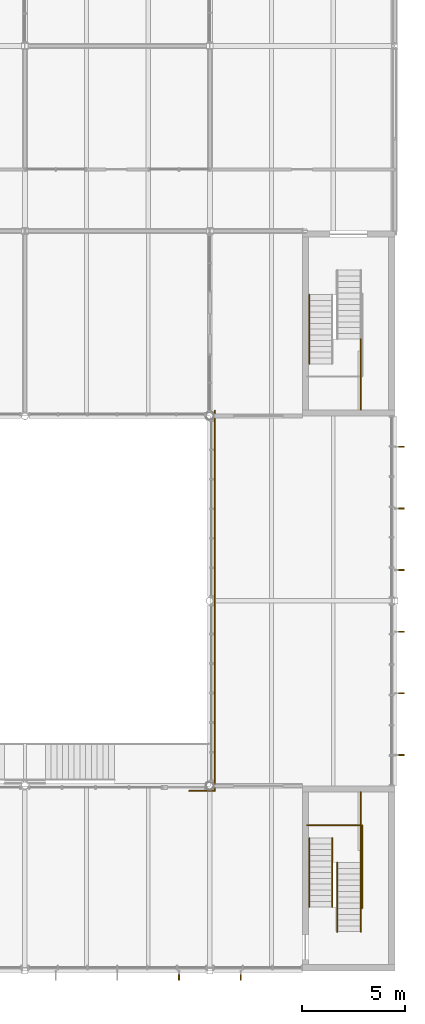
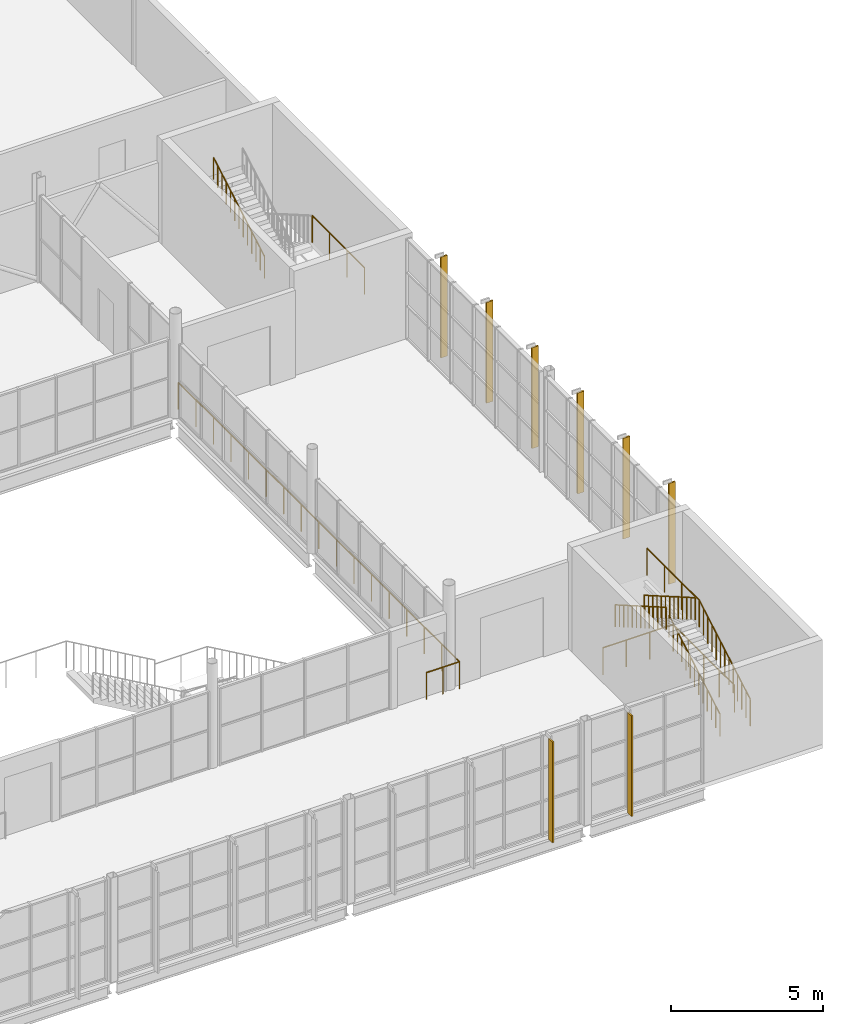
# One storey, part 54 of 57: 10 railings, 8 shading devices.
"""IFC4 building model written with IfcOpenShell, lengths in metres."""

from ifc_helpers import new_model, si_unit, direction, frame, origin, origin_2d, place, context, subcontext, project, spatial, rectangle, circle, extrude, material, type_object, element, save


model = new_model("IFC4")

# Units and contexts
model_context = context("Model", 3, precision=1e-05, world=origin(), true_north=direction((0.0, 1.0)))
body_context = subcontext(model_context, "Body", "Model", "MODEL_VIEW")
ifc_project = project(units=[si_unit("LENGTHUNIT", "METRE"), si_unit("AREAUNIT", "SQUARE_METRE"), si_unit("VOLUMEUNIT", "CUBIC_METRE"), si_unit("PLANEANGLEUNIT", "RADIAN"), si_unit("MASSUNIT", "GRAM", prefix="KILO")], contexts=[model_context])

# Site, building, storey
site_placement = place(None, origin())
site = spatial("IfcSite", under=ifc_project, at=site_placement, CompositionType="ELEMENT")
building_placement = place(site_placement, origin())
building = spatial("IfcBuilding", under=site, at=building_placement, Name="Halyard Row Museum", CompositionType="ELEMENT")
storey_placement = place(building_placement, frame((0.0, 0.0, 5.0)))
storey = spatial("IfcBuildingStorey", under=building, at=storey_placement, Name="L01", CompositionType="ELEMENT", Elevation=5.0)

# Railings
ifc_material_1 = material(Name="Steel Grade 300", Category="steel")
railing_type_1 = type_object("IfcRailingType", Name="Guard GR2 steel balustrade 1100", PredefinedType="GUARDRAIL", material=ifc_material_1)
railing_1_placement = place(storey_placement, frame((106.35009765625, 1.89990234375, 0.16162109375)))
element("IfcRailing", 1, at=railing_1_placement, inside=storey, type_object=railing_type_1, Name="Guard GR054", PredefinedType="GUARDRAIL", context=body_context, shape_type="SweptSolid", body=[
    extrude(circle(Radius=0.02392578125, at=origin_2d()), frame((0.0, 0.0, 1.076171875), z_axis=(0.0, 0.866424426198, 0.49930823515), x_axis=(-1.0, 0.0, 0.0)), (0.0, 0.0, 1.0), 0.3232421875),
    extrude(circle(Radius=0.02392578125, at=origin_2d()), frame((0.0, 0.280029296875, 1.2373046875), z_axis=(0.0, 0.86609757561, 0.499874973892), x_axis=(-1.0, 0.0, 0.0)), (0.0, 0.0, 1.0), 0.3232421875),
    extrude(circle(Radius=0.02392578125, at=origin_2d()), frame((0.0, 0.56005859375, 1.39892578125), z_axis=(0.0, 0.86609757561, 0.499874973892), x_axis=(-1.0, 0.0, 0.0)), (0.0, 0.0, 1.0), 0.3232421875),
    extrude(circle(Radius=0.02392578125, at=origin_2d()), frame((0.0, 0.840087890625, 1.560546875), z_axis=(0.0, 0.866424426198, 0.49930823515), x_axis=(-1.0, 0.0, 0.0)), (0.0, 0.0, 1.0), 0.3232421875),
    extrude(circle(Radius=0.02392578125, at=origin_2d()), frame((0.0, 1.1201171875, 1.72216796875), z_axis=(0.0, 0.86609757561, 0.499874973892), x_axis=(-1.0, 0.0, 0.0)), (0.0, 0.0, 1.0), 0.3232421875),
    extrude(circle(Radius=0.02392578125, at=origin_2d()), frame((0.0, 1.400146484375, 1.8837890625), z_axis=(0.0, 0.86609757561, 0.499874973892), x_axis=(-1.0, 0.0, 0.0)), (0.0, 0.0, 1.0), 0.3232421875),
    extrude(circle(Radius=0.02392578125, at=origin_2d()), frame((0.0, 1.68017578125, 2.04541015625), z_axis=(0.0, 0.866424426198, 0.49930823515), x_axis=(-1.0, 0.0, 0.0)), (0.0, 0.0, 1.0), 0.3232421875),
    extrude(circle(Radius=0.02392578125, at=origin_2d()), frame((0.0, 1.960205078125, 2.20654296875), z_axis=(0.0, 0.865908710228, 0.500202064721), x_axis=(-1.0, 0.0, 0.0)), (0.0, 0.0, 1.0), 0.322998046875),
    extrude(circle(Radius=0.02392578125, at=origin_2d()), frame((0.0, 2.239990234375, 2.3681640625), z_axis=(0.0, 0.86609757561, 0.499874973892), x_axis=(-1.0, 0.0, 0.0)), (0.0, 0.0, 1.0), 0.3232421875),
    extrude(circle(Radius=0.02392578125, at=origin_2d()), frame((0.0, 2.52001953125, 2.52978515625), z_axis=(0.0, 0.866424426198, 0.49930823515), x_axis=(-1.0, 0.0, 0.0)), (0.0, 0.0, 1.0), 0.3232421875),
    extrude(circle(Radius=0.02392578125, at=origin_2d()), frame((0.0, 2.800048828125, 2.69140625), z_axis=(0.0, 0.86609757561, 0.499874973892), x_axis=(-1.0, 0.0, 0.0)), (0.0, 0.0, 1.0), 0.3232421875),
    extrude(circle(Radius=0.02392578125, at=origin_2d()), frame((0.0, 3.080078125, 2.85302734375), z_axis=(0.0, 0.86609757561, 0.499874973892), x_axis=(-1.0, 0.0, 0.0)), (0.0, 0.0, 1.0), 0.3232421875),
    extrude(circle(Radius=0.02099609375, at=origin_2d()), origin(), (0.0, 0.0, 1.0), 1.052001953125),
    extrude(circle(Radius=0.02099609375, at=origin_2d()), frame((0.0, 0.280029296875, 0.161376953125)), (0.0, 0.0, 1.0), 1.052001953125),
    extrude(circle(Radius=0.02099609375, at=origin_2d()), frame((0.0, 0.56005859375, 0.322998046875)), (0.0, 0.0, 1.0), 1.052001953125),
    extrude(circle(Radius=0.02099609375, at=origin_2d()), frame((0.0, 0.840087890625, 0.484619140625)), (0.0, 0.0, 1.0), 1.052001953125),
    extrude(circle(Radius=0.02099609375, at=origin_2d()), frame((0.0, 1.1201171875, 0.64599609375)), (0.0, 0.0, 1.0), 1.052001953125),
    extrude(circle(Radius=0.02099609375, at=origin_2d()), frame((0.0, 1.400146484375, 0.8076171875)), (0.0, 0.0, 1.0), 1.052001953125),
    extrude(circle(Radius=0.02099609375, at=origin_2d()), frame((0.0, 1.68017578125, 0.96923828125)), (0.0, 0.0, 1.0), 1.052001953125),
    extrude(circle(Radius=0.02099609375, at=origin_2d()), frame((0.0, 1.960205078125, 1.130615234375)), (0.0, 0.0, 1.0), 1.052001953125),
    extrude(circle(Radius=0.02099609375, at=origin_2d()), frame((0.0, 2.239990234375, 1.292236328125)), (0.0, 0.0, 1.0), 1.052001953125),
    extrude(circle(Radius=0.02099609375, at=origin_2d()), frame((0.0, 2.52001953125, 1.453857421875)), (0.0, 0.0, 1.0), 1.052001953125),
    extrude(circle(Radius=0.02099609375, at=origin_2d()), frame((0.0, 2.800048828125, 1.615234375)), (0.0, 0.0, 1.0), 1.052001953125),
    extrude(circle(Radius=0.02099609375, at=origin_2d()), frame((0.0, 3.080078125, 1.77685546875)), (0.0, 0.0, 1.0), 1.052001953125),
    extrude(circle(Radius=0.02099609375, at=origin_2d()), frame((0.0, 3.360107421875, 1.9384765625)), (0.0, 0.0, 1.0), 1.052001953125),
])
railing_2_placement = place(storey_placement, frame((106.35009765625, 5.260009765625, 2.10009765625)))
element("IfcRailing", 2, at=railing_2_placement, inside=storey, type_object=railing_type_1, Name="Guard GR055", PredefinedType="GUARDRAIL", context=body_context, shape_type="SweptSolid", body=[
    extrude(circle(Radius=0.02392578125, at=origin_2d()), frame((0.0, 0.0, 1.076171875), z_axis=(0.0, 1.0, 0.0), x_axis=(-1.0, 0.0, 0.0)), (0.0, 0.0, 1.0), 3.43994140625),
    extrude(circle(Radius=0.02099609375, at=origin_2d()), origin(), (0.0, 0.0, 1.0), 1.052001953125),
    extrude(circle(Radius=0.02099609375, at=origin_2d()), frame((0.0, 1.146728515625, 0.0)), (0.0, 0.0, 1.0), 1.052001953125),
    extrude(circle(Radius=0.02099609375, at=origin_2d()), frame((0.0, 2.293212890625, 0.0)), (0.0, 0.0, 1.0), 1.052001953125),
    extrude(circle(Radius=0.02099609375, at=origin_2d()), frame((0.0, 3.43994140625, 0.0)), (0.0, 0.0, 1.0), 1.052001953125),
])
railing_3_placement = place(storey_placement, frame((106.35009765625, 30.739990234375, 2.10009765625)))
element("IfcRailing", 3, at=railing_3_placement, inside=storey, type_object=railing_type_1, Name="Guard GR068", PredefinedType="GUARDRAIL", context=body_context, shape_type="SweptSolid", body=[
    extrude(circle(Radius=0.02392578125, at=origin_2d()), frame((0.0, 0.0, 1.076171875), z_axis=(0.0, -1.0, 0.0), x_axis=(1.0, 0.0, 0.0)), (0.0, 0.0, 1.0), 3.43994140625),
    extrude(circle(Radius=0.02099609375, at=origin_2d()), origin(), (0.0, 0.0, 1.0), 1.052001953125),
    extrude(circle(Radius=0.02099609375, at=origin_2d()), frame((0.0, -1.146728515625, 0.0)), (0.0, 0.0, 1.0), 1.052001953125),
    extrude(circle(Radius=0.02099609375, at=origin_2d()), frame((0.0, -2.293212890625, 0.0)), (0.0, 0.0, 1.0), 1.052001953125),
    extrude(circle(Radius=0.02099609375, at=origin_2d()), frame((0.0, -3.43994140625, 0.0)), (0.0, 0.0, 1.0), 1.052001953125),
])
railing_4_placement = place(storey_placement, frame((103.739990234375, 7.080078125, 0.0)))
element("IfcRailing", 4, at=railing_4_placement, inside=storey, type_object=railing_type_1, Name="Guard GR161", PredefinedType="GUARDRAIL", context=body_context, shape_type="SweptSolid", body=[
    extrude(circle(Radius=0.02392578125, at=origin_2d()), frame((0.0, 0.0, 1.076171875), z_axis=(1.0, 0.0, 0.0), x_axis=(0.0, 1.0, 0.0)), (0.0, 0.0, 1.0), 2.669921875),
    extrude(circle(Radius=0.02392578125, at=origin_2d()), frame((2.669921875, 0.0, 1.076171875), z_axis=(0.0, -1.0, 0.0), x_axis=(1.0, 0.0, 0.0)), (0.0, 0.0, 1.0), 4.0400390625),
    extrude(circle(Radius=0.02099609375, at=origin_2d()), origin(), (0.0, 0.0, 1.0), 1.052001953125),
    extrude(circle(Radius=0.02099609375, at=origin_2d()), frame((0.889892578125, 0.0, 0.0)), (0.0, 0.0, 1.0), 1.052001953125),
    extrude(circle(Radius=0.02099609375, at=origin_2d()), frame((1.780029296875, 0.0, 0.0)), (0.0, 0.0, 1.0), 1.052001953125),
    extrude(circle(Radius=0.02099609375, at=origin_2d()), frame((2.669921875, 0.0, 0.0)), (0.0, 0.0, 1.0), 1.052001953125),
    extrude(circle(Radius=0.02099609375, at=origin_2d()), frame((2.669921875, -1.010009765625, 0.0)), (0.0, 0.0, 1.0), 1.052001953125),
    extrude(circle(Radius=0.02099609375, at=origin_2d()), frame((2.669921875, -2.02001953125, 0.0)), (0.0, 0.0, 1.0), 1.052001953125),
    extrude(circle(Radius=0.02099609375, at=origin_2d()), frame((2.669921875, -3.030029296875, 0.0)), (0.0, 0.0, 1.0), 1.052001953125),
    extrude(circle(Radius=0.02099609375, at=origin_2d()), frame((2.669921875, -4.0400390625, 0.0)), (0.0, 0.0, 1.0), 1.052001953125),
])
railing_5_placement = place(storey_placement, frame((98.0, 8.75, 0.0)))
element("IfcRailing", 5, at=railing_5_placement, inside=storey, type_object=railing_type_1, Name="Guard GR197", PredefinedType="GUARDRAIL", context=body_context, shape_type="SweptSolid", body=[
    extrude(circle(Radius=0.02392578125, at=origin_2d()), frame((0.0, 0.0, 1.076171875), z_axis=(1.0, 0.0, 0.0), x_axis=(0.0, 1.0, 0.0)), (0.0, 0.0, 1.0), 1.25),
    extrude(circle(Radius=0.02099609375, at=origin_2d()), origin(), (0.0, 0.0, 1.0), 1.052001953125),
    extrude(circle(Radius=0.02099609375, at=origin_2d()), frame((0.625, 0.0, 0.0)), (0.0, 0.0, 1.0), 1.052001953125),
    extrude(circle(Radius=0.02099609375, at=origin_2d()), frame((1.25, 0.0, 0.0)), (0.0, 0.0, 1.0), 1.052001953125),
])
railing_6_placement = place(storey_placement, frame((99.25, 8.75, 0.0)))
element("IfcRailing", 6, at=railing_6_placement, inside=storey, type_object=railing_type_1, Name="Guard GR198", PredefinedType="GUARDRAIL", context=body_context, shape_type="SweptSolid", body=[
    extrude(circle(Radius=0.02392578125, at=origin_2d()), frame((0.0, 0.0, 1.076171875), z_axis=(0.0, 1.0, 0.0), x_axis=(-1.0, 0.0, 0.0)), (0.0, 0.0, 1.0), 18.5),
    extrude(circle(Radius=0.02099609375, at=origin_2d()), origin(), (0.0, 0.0, 1.0), 1.052001953125),
    extrude(circle(Radius=0.02099609375, at=origin_2d()), frame((0.0, 1.15625, 0.0)), (0.0, 0.0, 1.0), 1.052001953125),
    extrude(circle(Radius=0.02099609375, at=origin_2d()), frame((0.0, 2.3125, 0.0)), (0.0, 0.0, 1.0), 1.052001953125),
    extrude(circle(Radius=0.02099609375, at=origin_2d()), frame((0.0, 3.46875, 0.0)), (0.0, 0.0, 1.0), 1.052001953125),
    extrude(circle(Radius=0.02099609375, at=origin_2d()), frame((0.0, 4.625, 0.0)), (0.0, 0.0, 1.0), 1.052001953125),
    extrude(circle(Radius=0.02099609375, at=origin_2d()), frame((0.0, 5.78125, 0.0)), (0.0, 0.0, 1.0), 1.052001953125),
    extrude(circle(Radius=0.02099609375, at=origin_2d()), frame((0.0, 6.9375, 0.0)), (0.0, 0.0, 1.0), 1.052001953125),
    extrude(circle(Radius=0.02099609375, at=origin_2d()), frame((0.0, 8.09375, 0.0)), (0.0, 0.0, 1.0), 1.052001953125),
    extrude(circle(Radius=0.02099609375, at=origin_2d()), frame((0.0, 9.25, 0.0)), (0.0, 0.0, 1.0), 1.052001953125),
    extrude(circle(Radius=0.02099609375, at=origin_2d()), frame((0.0, 10.40625, 0.0)), (0.0, 0.0, 1.0), 1.052001953125),
    extrude(circle(Radius=0.02099609375, at=origin_2d()), frame((0.0, 11.5625, 0.0)), (0.0, 0.0, 1.0), 1.052001953125),
    extrude(circle(Radius=0.02099609375, at=origin_2d()), frame((0.0, 12.71875, 0.0)), (0.0, 0.0, 1.0), 1.052001953125),
    extrude(circle(Radius=0.02099609375, at=origin_2d()), frame((0.0, 13.875, 0.0)), (0.0, 0.0, 1.0), 1.052001953125),
    extrude(circle(Radius=0.02099609375, at=origin_2d()), frame((0.0, 15.03125, 0.0)), (0.0, 0.0, 1.0), 1.052001953125),
    extrude(circle(Radius=0.02099609375, at=origin_2d()), frame((0.0, 16.1875, 0.0)), (0.0, 0.0, 1.0), 1.052001953125),
    extrude(circle(Radius=0.02099609375, at=origin_2d()), frame((0.0, 17.34375, 0.0)), (0.0, 0.0, 1.0), 1.052001953125),
    extrude(circle(Radius=0.02099609375, at=origin_2d()), frame((0.0, 18.5, 0.0)), (0.0, 0.0, 1.0), 1.052001953125),
])
ifc_material_2 = material(Name="Steel Grade 300", Category="steel")
railing_type_2 = type_object("IfcRailingType", Name="Handrail HR2 steel 900", PredefinedType="HANDRAIL", material=ifc_material_2)
railing_7_placement = place(storey_placement, frame((105.199951171875, 1.89990234375, 0.16162109375)))
element("IfcRailing", 7, at=railing_7_placement, inside=storey, type_object=railing_type_2, Name="Handrail HR079", PredefinedType="HANDRAIL", context=body_context, shape_type="SweptSolid", body=[
    extrude(circle(Radius=0.02392578125, at=origin_2d()), frame((0.0, 0.0, 0.8759765625), z_axis=(0.0, 0.866424426198, 0.49930823515), x_axis=(-1.0, 0.0, 0.0)), (0.0, 0.0, 1.0), 0.3232421875),
    extrude(circle(Radius=0.02392578125, at=origin_2d()), frame((0.0, 0.280029296875, 1.037109375), z_axis=(0.0, 0.86609757561, 0.499874973892), x_axis=(-1.0, 0.0, 0.0)), (0.0, 0.0, 1.0), 0.3232421875),
    extrude(circle(Radius=0.02392578125, at=origin_2d()), frame((0.0, 0.56005859375, 1.19873046875), z_axis=(0.0, 0.86609757561, 0.499874973892), x_axis=(-1.0, 0.0, 0.0)), (0.0, 0.0, 1.0), 0.3232421875),
    extrude(circle(Radius=0.02392578125, at=origin_2d()), frame((0.0, 0.840087890625, 1.3603515625), z_axis=(0.0, 0.866424426198, 0.49930823515), x_axis=(-1.0, 0.0, 0.0)), (0.0, 0.0, 1.0), 0.3232421875),
    extrude(circle(Radius=0.02392578125, at=origin_2d()), frame((0.0, 1.1201171875, 1.52197265625), z_axis=(0.0, 0.86609757561, 0.499874973892), x_axis=(-1.0, 0.0, 0.0)), (0.0, 0.0, 1.0), 0.3232421875),
    extrude(circle(Radius=0.02392578125, at=origin_2d()), frame((0.0, 1.400146484375, 1.68359375), z_axis=(0.0, 0.86609757561, 0.499874973892), x_axis=(-1.0, 0.0, 0.0)), (0.0, 0.0, 1.0), 0.3232421875),
    extrude(circle(Radius=0.02392578125, at=origin_2d()), frame((0.0, 1.68017578125, 1.84521484375), z_axis=(0.0, 0.866424426198, 0.49930823515), x_axis=(-1.0, 0.0, 0.0)), (0.0, 0.0, 1.0), 0.3232421875),
    extrude(circle(Radius=0.02392578125, at=origin_2d()), frame((0.0, 1.960205078125, 2.00634765625), z_axis=(0.0, 0.865908710228, 0.500202064721), x_axis=(-1.0, 0.0, 0.0)), (0.0, 0.0, 1.0), 0.322998046875),
    extrude(circle(Radius=0.02392578125, at=origin_2d()), frame((0.0, 2.239990234375, 2.16796875), z_axis=(0.0, 0.86609757561, 0.499874973892), x_axis=(-1.0, 0.0, 0.0)), (0.0, 0.0, 1.0), 0.3232421875),
    extrude(circle(Radius=0.02392578125, at=origin_2d()), frame((0.0, 2.52001953125, 2.32958984375), z_axis=(0.0, 0.866424426198, 0.49930823515), x_axis=(-1.0, 0.0, 0.0)), (0.0, 0.0, 1.0), 0.3232421875),
    extrude(circle(Radius=0.02392578125, at=origin_2d()), frame((0.0, 2.800048828125, 2.4912109375), z_axis=(0.0, 0.86609757561, 0.499874973892), x_axis=(-1.0, 0.0, 0.0)), (0.0, 0.0, 1.0), 0.3232421875),
    extrude(circle(Radius=0.02392578125, at=origin_2d()), frame((0.0, 3.080078125, 2.65283203125), z_axis=(0.0, 0.86609757561, 0.499874973892), x_axis=(-1.0, 0.0, 0.0)), (0.0, 0.0, 1.0), 0.3232421875),
    extrude(circle(Radius=0.02099609375, at=origin_2d()), origin(), (0.0, 0.0, 1.0), 0.851806640625),
    extrude(circle(Radius=0.02099609375, at=origin_2d()), frame((0.0, 0.280029296875, 0.161376953125)), (0.0, 0.0, 1.0), 0.851806640625),
    extrude(circle(Radius=0.02099609375, at=origin_2d()), frame((0.0, 0.56005859375, 0.322998046875)), (0.0, 0.0, 1.0), 0.851806640625),
    extrude(circle(Radius=0.02099609375, at=origin_2d()), frame((0.0, 0.840087890625, 0.484619140625)), (0.0, 0.0, 1.0), 0.851806640625),
    extrude(circle(Radius=0.02099609375, at=origin_2d()), frame((0.0, 1.1201171875, 0.64599609375)), (0.0, 0.0, 1.0), 0.851806640625),
    extrude(circle(Radius=0.02099609375, at=origin_2d()), frame((0.0, 1.400146484375, 0.8076171875)), (0.0, 0.0, 1.0), 0.851806640625),
    extrude(circle(Radius=0.02099609375, at=origin_2d()), frame((0.0, 1.68017578125, 0.96923828125)), (0.0, 0.0, 1.0), 0.851806640625),
    extrude(circle(Radius=0.02099609375, at=origin_2d()), frame((0.0, 1.960205078125, 1.130615234375)), (0.0, 0.0, 1.0), 0.851806640625),
    extrude(circle(Radius=0.02099609375, at=origin_2d()), frame((0.0, 2.239990234375, 1.292236328125)), (0.0, 0.0, 1.0), 0.851806640625),
    extrude(circle(Radius=0.02099609375, at=origin_2d()), frame((0.0, 2.52001953125, 1.453857421875)), (0.0, 0.0, 1.0), 0.851806640625),
    extrude(circle(Radius=0.02099609375, at=origin_2d()), frame((0.0, 2.800048828125, 1.615234375)), (0.0, 0.0, 1.0), 0.851806640625),
    extrude(circle(Radius=0.02099609375, at=origin_2d()), frame((0.0, 3.080078125, 1.77685546875)), (0.0, 0.0, 1.0), 0.851806640625),
    extrude(circle(Radius=0.02099609375, at=origin_2d()), frame((0.0, 3.360107421875, 1.9384765625)), (0.0, 0.0, 1.0), 0.851806640625),
])
railing_8_placement = place(storey_placement, frame((103.85009765625, 6.4599609375, 2.261474609375)))
element("IfcRailing", 8, at=railing_8_placement, inside=storey, type_object=railing_type_2, Name="Handrail HR080", PredefinedType="HANDRAIL", context=body_context, shape_type="SweptSolid", body=[
    extrude(circle(Radius=0.02392578125, at=origin_2d()), frame((0.0, 0.0, 0.8759765625), z_axis=(0.0, -0.86609757561, 0.499874973892), x_axis=(1.0, 0.0, 0.0)), (0.0, 0.0, 1.0), 0.3232421875),
    extrude(circle(Radius=0.02392578125, at=origin_2d()), frame((0.0, -0.280029296875, 1.03759765625), z_axis=(0.0, -0.86609757561, 0.499874973892), x_axis=(1.0, 0.0, 0.0)), (0.0, 0.0, 1.0), 0.3232421875),
    extrude(circle(Radius=0.02392578125, at=origin_2d()), frame((0.0, -0.56005859375, 1.19921875), z_axis=(0.0, -0.866235917577, 0.499635202023), x_axis=(1.0, 0.0, 0.0)), (0.0, 0.0, 1.0), 0.322998046875),
    extrude(circle(Radius=0.02392578125, at=origin_2d()), frame((0.0, -0.83984375, 1.3603515625), z_axis=(0.0, -0.86609757561, 0.499874973892), x_axis=(1.0, 0.0, 0.0)), (0.0, 0.0, 1.0), 0.3232421875),
    extrude(circle(Radius=0.02392578125, at=origin_2d()), frame((0.0, -1.119873046875, 1.52197265625), z_axis=(0.0, -0.86609757561, 0.499874973892), x_axis=(1.0, 0.0, 0.0)), (0.0, 0.0, 1.0), 0.3232421875),
    extrude(circle(Radius=0.02392578125, at=origin_2d()), frame((0.0, -1.39990234375, 1.68359375), z_axis=(0.0, -0.866424426198, 0.49930823515), x_axis=(1.0, 0.0, 0.0)), (0.0, 0.0, 1.0), 0.3232421875),
    extrude(circle(Radius=0.02392578125, at=origin_2d()), frame((0.0, -1.679931640625, 1.84521484375), z_axis=(0.0, -0.86609757561, 0.499874973892), x_axis=(1.0, 0.0, 0.0)), (0.0, 0.0, 1.0), 0.3232421875),
    extrude(circle(Radius=0.02392578125, at=origin_2d()), frame((0.0, -1.9599609375, 2.0068359375), z_axis=(0.0, -0.86609757561, 0.499874973892), x_axis=(1.0, 0.0, 0.0)), (0.0, 0.0, 1.0), 0.3232421875),
    extrude(circle(Radius=0.02392578125, at=origin_2d()), frame((0.0, -2.239990234375, 2.16845703125), z_axis=(0.0, -0.866424426198, 0.49930823515), x_axis=(1.0, 0.0, 0.0)), (0.0, 0.0, 1.0), 0.3232421875),
    extrude(circle(Radius=0.02392578125, at=origin_2d()), frame((0.0, -2.52001953125, 2.32958984375), z_axis=(0.0, -0.86609757561, 0.499874973892), x_axis=(1.0, 0.0, 0.0)), (0.0, 0.0, 1.0), 0.3232421875),
    extrude(circle(Radius=0.02392578125, at=origin_2d()), frame((0.0, -2.800048828125, 2.4912109375), z_axis=(0.0, -0.86609757561, 0.499874973892), x_axis=(1.0, 0.0, 0.0)), (0.0, 0.0, 1.0), 0.3232421875),
    extrude(circle(Radius=0.02392578125, at=origin_2d()), frame((0.0, -3.080078125, 2.65283203125), z_axis=(0.0, -0.866235917577, 0.499635202023), x_axis=(1.0, 0.0, 0.0)), (0.0, 0.0, 1.0), 0.322998046875),
    extrude(circle(Radius=0.02099609375, at=origin_2d()), origin(), (0.0, 0.0, 1.0), 0.851806640625),
    extrude(circle(Radius=0.02099609375, at=origin_2d()), frame((0.0, -0.280029296875, 0.16162109375)), (0.0, 0.0, 1.0), 0.851806640625),
    extrude(circle(Radius=0.02099609375, at=origin_2d()), frame((0.0, -0.56005859375, 0.3232421875)), (0.0, 0.0, 1.0), 0.851806640625),
    extrude(circle(Radius=0.02099609375, at=origin_2d()), frame((0.0, -0.83984375, 0.484619140625)), (0.0, 0.0, 1.0), 0.851806640625),
    extrude(circle(Radius=0.02099609375, at=origin_2d()), frame((0.0, -1.119873046875, 0.646240234375)), (0.0, 0.0, 1.0), 0.851806640625),
    extrude(circle(Radius=0.02099609375, at=origin_2d()), frame((0.0, -1.39990234375, 0.807861328125)), (0.0, 0.0, 1.0), 0.851806640625),
    extrude(circle(Radius=0.02099609375, at=origin_2d()), frame((0.0, -1.679931640625, 0.96923828125)), (0.0, 0.0, 1.0), 0.851806640625),
    extrude(circle(Radius=0.02099609375, at=origin_2d()), frame((0.0, -1.9599609375, 1.130859375)), (0.0, 0.0, 1.0), 0.851806640625),
    extrude(circle(Radius=0.02099609375, at=origin_2d()), frame((0.0, -2.239990234375, 1.29248046875)), (0.0, 0.0, 1.0), 0.851806640625),
    extrude(circle(Radius=0.02099609375, at=origin_2d()), frame((0.0, -2.52001953125, 1.453857421875)), (0.0, 0.0, 1.0), 0.851806640625),
    extrude(circle(Radius=0.02099609375, at=origin_2d()), frame((0.0, -2.800048828125, 1.615478515625)), (0.0, 0.0, 1.0), 0.851806640625),
    extrude(circle(Radius=0.02099609375, at=origin_2d()), frame((0.0, -3.080078125, 1.777099609375)), (0.0, 0.0, 1.0), 0.851806640625),
    extrude(circle(Radius=0.02099609375, at=origin_2d()), frame((0.0, -3.35986328125, 1.9384765625)), (0.0, 0.0, 1.0), 0.851806640625),
])
railing_9_placement = place(storey_placement, frame((104.949951171875, 6.4599609375, 2.261474609375)))
element("IfcRailing", 9, at=railing_9_placement, inside=storey, type_object=railing_type_2, Name="Handrail HR081", PredefinedType="HANDRAIL", context=body_context, shape_type="SweptSolid", body=[
    extrude(circle(Radius=0.02392578125, at=origin_2d()), frame((0.0, 0.0, 0.8759765625), z_axis=(0.0, -0.86609757561, 0.499874973892), x_axis=(1.0, 0.0, 0.0)), (0.0, 0.0, 1.0), 0.3232421875),
    extrude(circle(Radius=0.02392578125, at=origin_2d()), frame((0.0, -0.280029296875, 1.03759765625), z_axis=(0.0, -0.86609757561, 0.499874973892), x_axis=(1.0, 0.0, 0.0)), (0.0, 0.0, 1.0), 0.3232421875),
    extrude(circle(Radius=0.02392578125, at=origin_2d()), frame((0.0, -0.56005859375, 1.19921875), z_axis=(0.0, -0.866235917577, 0.499635202023), x_axis=(1.0, 0.0, 0.0)), (0.0, 0.0, 1.0), 0.322998046875),
    extrude(circle(Radius=0.02392578125, at=origin_2d()), frame((0.0, -0.83984375, 1.3603515625), z_axis=(0.0, -0.86609757561, 0.499874973892), x_axis=(1.0, 0.0, 0.0)), (0.0, 0.0, 1.0), 0.3232421875),
    extrude(circle(Radius=0.02392578125, at=origin_2d()), frame((0.0, -1.119873046875, 1.52197265625), z_axis=(0.0, -0.86609757561, 0.499874973892), x_axis=(1.0, 0.0, 0.0)), (0.0, 0.0, 1.0), 0.3232421875),
    extrude(circle(Radius=0.02392578125, at=origin_2d()), frame((0.0, -1.39990234375, 1.68359375), z_axis=(0.0, -0.866424426198, 0.49930823515), x_axis=(1.0, 0.0, 0.0)), (0.0, 0.0, 1.0), 0.3232421875),
    extrude(circle(Radius=0.02392578125, at=origin_2d()), frame((0.0, -1.679931640625, 1.84521484375), z_axis=(0.0, -0.86609757561, 0.499874973892), x_axis=(1.0, 0.0, 0.0)), (0.0, 0.0, 1.0), 0.3232421875),
    extrude(circle(Radius=0.02392578125, at=origin_2d()), frame((0.0, -1.9599609375, 2.0068359375), z_axis=(0.0, -0.86609757561, 0.499874973892), x_axis=(1.0, 0.0, 0.0)), (0.0, 0.0, 1.0), 0.3232421875),
    extrude(circle(Radius=0.02392578125, at=origin_2d()), frame((0.0, -2.239990234375, 2.16845703125), z_axis=(0.0, -0.866424426198, 0.49930823515), x_axis=(1.0, 0.0, 0.0)), (0.0, 0.0, 1.0), 0.3232421875),
    extrude(circle(Radius=0.02392578125, at=origin_2d()), frame((0.0, -2.52001953125, 2.32958984375), z_axis=(0.0, -0.86609757561, 0.499874973892), x_axis=(1.0, 0.0, 0.0)), (0.0, 0.0, 1.0), 0.3232421875),
    extrude(circle(Radius=0.02392578125, at=origin_2d()), frame((0.0, -2.800048828125, 2.4912109375), z_axis=(0.0, -0.86609757561, 0.499874973892), x_axis=(1.0, 0.0, 0.0)), (0.0, 0.0, 1.0), 0.3232421875),
    extrude(circle(Radius=0.02392578125, at=origin_2d()), frame((0.0, -3.080078125, 2.65283203125), z_axis=(0.0, -0.866235917577, 0.499635202023), x_axis=(1.0, 0.0, 0.0)), (0.0, 0.0, 1.0), 0.322998046875),
    extrude(circle(Radius=0.02099609375, at=origin_2d()), origin(), (0.0, 0.0, 1.0), 0.851806640625),
    extrude(circle(Radius=0.02099609375, at=origin_2d()), frame((0.0, -0.280029296875, 0.16162109375)), (0.0, 0.0, 1.0), 0.851806640625),
    extrude(circle(Radius=0.02099609375, at=origin_2d()), frame((0.0, -0.56005859375, 0.3232421875)), (0.0, 0.0, 1.0), 0.851806640625),
    extrude(circle(Radius=0.02099609375, at=origin_2d()), frame((0.0, -0.83984375, 0.484619140625)), (0.0, 0.0, 1.0), 0.851806640625),
    extrude(circle(Radius=0.02099609375, at=origin_2d()), frame((0.0, -1.119873046875, 0.646240234375)), (0.0, 0.0, 1.0), 0.851806640625),
    extrude(circle(Radius=0.02099609375, at=origin_2d()), frame((0.0, -1.39990234375, 0.807861328125)), (0.0, 0.0, 1.0), 0.851806640625),
    extrude(circle(Radius=0.02099609375, at=origin_2d()), frame((0.0, -1.679931640625, 0.96923828125)), (0.0, 0.0, 1.0), 0.851806640625),
    extrude(circle(Radius=0.02099609375, at=origin_2d()), frame((0.0, -1.9599609375, 1.130859375)), (0.0, 0.0, 1.0), 0.851806640625),
    extrude(circle(Radius=0.02099609375, at=origin_2d()), frame((0.0, -2.239990234375, 1.29248046875)), (0.0, 0.0, 1.0), 0.851806640625),
    extrude(circle(Radius=0.02099609375, at=origin_2d()), frame((0.0, -2.52001953125, 1.453857421875)), (0.0, 0.0, 1.0), 0.851806640625),
    extrude(circle(Radius=0.02099609375, at=origin_2d()), frame((0.0, -2.800048828125, 1.615478515625)), (0.0, 0.0, 1.0), 0.851806640625),
    extrude(circle(Radius=0.02099609375, at=origin_2d()), frame((0.0, -3.080078125, 1.777099609375)), (0.0, 0.0, 1.0), 0.851806640625),
    extrude(circle(Radius=0.02099609375, at=origin_2d()), frame((0.0, -3.35986328125, 1.9384765625)), (0.0, 0.0, 1.0), 0.851806640625),
])
railing_10_placement = place(storey_placement, frame((103.85009765625, 29.5400390625, 2.261474609375)))
element("IfcRailing", 10, at=railing_10_placement, inside=storey, type_object=railing_type_2, Name="Handrail HR098", PredefinedType="HANDRAIL", context=body_context, shape_type="SweptSolid", body=[
    extrude(circle(Radius=0.02392578125, at=origin_2d()), frame((0.0, 0.0, 0.8759765625), z_axis=(0.0, 0.86609757561, 0.499874973892), x_axis=(-1.0, 0.0, 0.0)), (0.0, 0.0, 1.0), 0.3232421875),
    extrude(circle(Radius=0.02392578125, at=origin_2d()), frame((0.0, 0.280029296875, 1.03759765625), z_axis=(0.0, 0.86609757561, 0.499874973892), x_axis=(-1.0, 0.0, 0.0)), (0.0, 0.0, 1.0), 0.3232421875),
    extrude(circle(Radius=0.02392578125, at=origin_2d()), frame((0.0, 0.56005859375, 1.19921875), z_axis=(0.0, 0.866235917577, 0.499635202023), x_axis=(-1.0, 0.0, 0.0)), (0.0, 0.0, 1.0), 0.322998046875),
    extrude(circle(Radius=0.02392578125, at=origin_2d()), frame((0.0, 0.83984375, 1.3603515625), z_axis=(0.0, 0.86609757561, 0.499874973892), x_axis=(-1.0, 0.0, 0.0)), (0.0, 0.0, 1.0), 0.3232421875),
    extrude(circle(Radius=0.02392578125, at=origin_2d()), frame((0.0, 1.119873046875, 1.52197265625), z_axis=(0.0, 0.86609757561, 0.499874973892), x_axis=(-1.0, 0.0, 0.0)), (0.0, 0.0, 1.0), 0.3232421875),
    extrude(circle(Radius=0.02392578125, at=origin_2d()), frame((0.0, 1.39990234375, 1.68359375), z_axis=(0.0, 0.866424426198, 0.49930823515), x_axis=(-1.0, 0.0, 0.0)), (0.0, 0.0, 1.0), 0.3232421875),
    extrude(circle(Radius=0.02392578125, at=origin_2d()), frame((0.0, 1.679931640625, 1.84521484375), z_axis=(0.0, 0.86609757561, 0.499874973892), x_axis=(-1.0, 0.0, 0.0)), (0.0, 0.0, 1.0), 0.3232421875),
    extrude(circle(Radius=0.02392578125, at=origin_2d()), frame((0.0, 1.9599609375, 2.0068359375), z_axis=(0.0, 0.86609757561, 0.499874973892), x_axis=(-1.0, 0.0, 0.0)), (0.0, 0.0, 1.0), 0.3232421875),
    extrude(circle(Radius=0.02392578125, at=origin_2d()), frame((0.0, 2.239990234375, 2.16845703125), z_axis=(0.0, 0.866424426198, 0.49930823515), x_axis=(-1.0, 0.0, 0.0)), (0.0, 0.0, 1.0), 0.3232421875),
    extrude(circle(Radius=0.02392578125, at=origin_2d()), frame((0.0, 2.52001953125, 2.32958984375), z_axis=(0.0, 0.86609757561, 0.499874973892), x_axis=(-1.0, 0.0, 0.0)), (0.0, 0.0, 1.0), 0.3232421875),
    extrude(circle(Radius=0.02392578125, at=origin_2d()), frame((0.0, 2.800048828125, 2.4912109375), z_axis=(0.0, 0.86609757561, 0.499874973892), x_axis=(-1.0, 0.0, 0.0)), (0.0, 0.0, 1.0), 0.3232421875),
    extrude(circle(Radius=0.02392578125, at=origin_2d()), frame((0.0, 3.080078125, 2.65283203125), z_axis=(0.0, 0.866235917577, 0.499635202023), x_axis=(-1.0, 0.0, 0.0)), (0.0, 0.0, 1.0), 0.322998046875),
    extrude(circle(Radius=0.02099609375, at=origin_2d()), origin(), (0.0, 0.0, 1.0), 0.851806640625),
    extrude(circle(Radius=0.02099609375, at=origin_2d()), frame((0.0, 0.280029296875, 0.16162109375)), (0.0, 0.0, 1.0), 0.851806640625),
    extrude(circle(Radius=0.02099609375, at=origin_2d()), frame((0.0, 0.56005859375, 0.3232421875)), (0.0, 0.0, 1.0), 0.851806640625),
    extrude(circle(Radius=0.02099609375, at=origin_2d()), frame((0.0, 0.83984375, 0.484619140625)), (0.0, 0.0, 1.0), 0.851806640625),
    extrude(circle(Radius=0.02099609375, at=origin_2d()), frame((0.0, 1.119873046875, 0.646240234375)), (0.0, 0.0, 1.0), 0.851806640625),
    extrude(circle(Radius=0.02099609375, at=origin_2d()), frame((0.0, 1.39990234375, 0.807861328125)), (0.0, 0.0, 1.0), 0.851806640625),
    extrude(circle(Radius=0.02099609375, at=origin_2d()), frame((0.0, 1.679931640625, 0.96923828125)), (0.0, 0.0, 1.0), 0.851806640625),
    extrude(circle(Radius=0.02099609375, at=origin_2d()), frame((0.0, 1.9599609375, 1.130859375)), (0.0, 0.0, 1.0), 0.851806640625),
    extrude(circle(Radius=0.02099609375, at=origin_2d()), frame((0.0, 2.239990234375, 1.29248046875)), (0.0, 0.0, 1.0), 0.851806640625),
    extrude(circle(Radius=0.02099609375, at=origin_2d()), frame((0.0, 2.52001953125, 1.453857421875)), (0.0, 0.0, 1.0), 0.851806640625),
    extrude(circle(Radius=0.02099609375, at=origin_2d()), frame((0.0, 2.800048828125, 1.615478515625)), (0.0, 0.0, 1.0), 0.851806640625),
    extrude(circle(Radius=0.02099609375, at=origin_2d()), frame((0.0, 3.080078125, 1.777099609375)), (0.0, 0.0, 1.0), 0.851806640625),
    extrude(circle(Radius=0.02099609375, at=origin_2d()), frame((0.0, 3.35986328125, 1.9384765625)), (0.0, 0.0, 1.0), 0.851806640625),
])

# Shading devices
ifc_material_3 = material(Name="Glue-laminated timber GL12, oiled", Category="wood")
shading_device_type = type_object("IfcShadingDeviceType", Name="Timber fin 60 x 250", PredefinedType="USERDEFINED", material=ifc_material_3)
for number, where, z_axis, x_axis, name in (
    (11, (108.324951171875, 10.5, 0.0), (0.0, 0.0, 1.0), (1.0, 0.0, 0.0), "Timber fin"),
    (12, (108.324951171875, 13.5, 0.0), (0.0, 0.0, 1.0), (1.0, 0.0, 0.0), "Timber fin"),
    (13, (108.324951171875, 16.5, 0.0), (0.0, 0.0, 1.0), (1.0, 0.0, 0.0), "Timber fin"),
    (14, (108.324951171875, 19.5, 0.0), (0.0, 0.0, 1.0), (1.0, 0.0, 0.0), "Timber fin"),
    (15, (108.324951171875, 22.5, 0.0), (0.0, 0.0, 1.0), (1.0, 0.0, 0.0), "Timber fin"),
    (16, (108.324951171875, 25.5, 0.0), (0.0, 0.0, 1.0), (1.0, 0.0, 0.0), "Timber fin"),
):
    element("IfcShadingDevice", number, at=place(storey_placement, frame(where, z_axis=z_axis, x_axis=x_axis)), inside=storey, type_object=shading_device_type, Name=name, ObjectType="FIN", PredefinedType="USERDEFINED", context=body_context, shape_type="SweptSolid", body=[
        extrude(rectangle(XDim=0.25, YDim=0.06005859375, at=origin_2d()), origin(), (0.0, 0.0, 1.0), 4.050048828125),
    ])
for number, where, z_axis, x_axis, name in (
    (17, (97.5, -0.324951171875, 0.0), (0.0, 0.0, 1.0), (1.0, 0.0, 0.0), "Timber fin"),
    (18, (100.5, -0.324951171875, 0.0), (0.0, 0.0, 1.0), (1.0, 0.0, 0.0), "Timber fin"),
):
    element("IfcShadingDevice", number, at=place(storey_placement, frame(where, z_axis=z_axis, x_axis=x_axis)), inside=storey, type_object=shading_device_type, Name=name, ObjectType="FIN", PredefinedType="USERDEFINED", context=body_context, shape_type="SweptSolid", body=[
        extrude(rectangle(XDim=0.06005859375, YDim=0.25, at=origin_2d()), origin(), (0.0, 0.0, 1.0), 4.050048828125),
    ])

save(model, "model.ifc")
